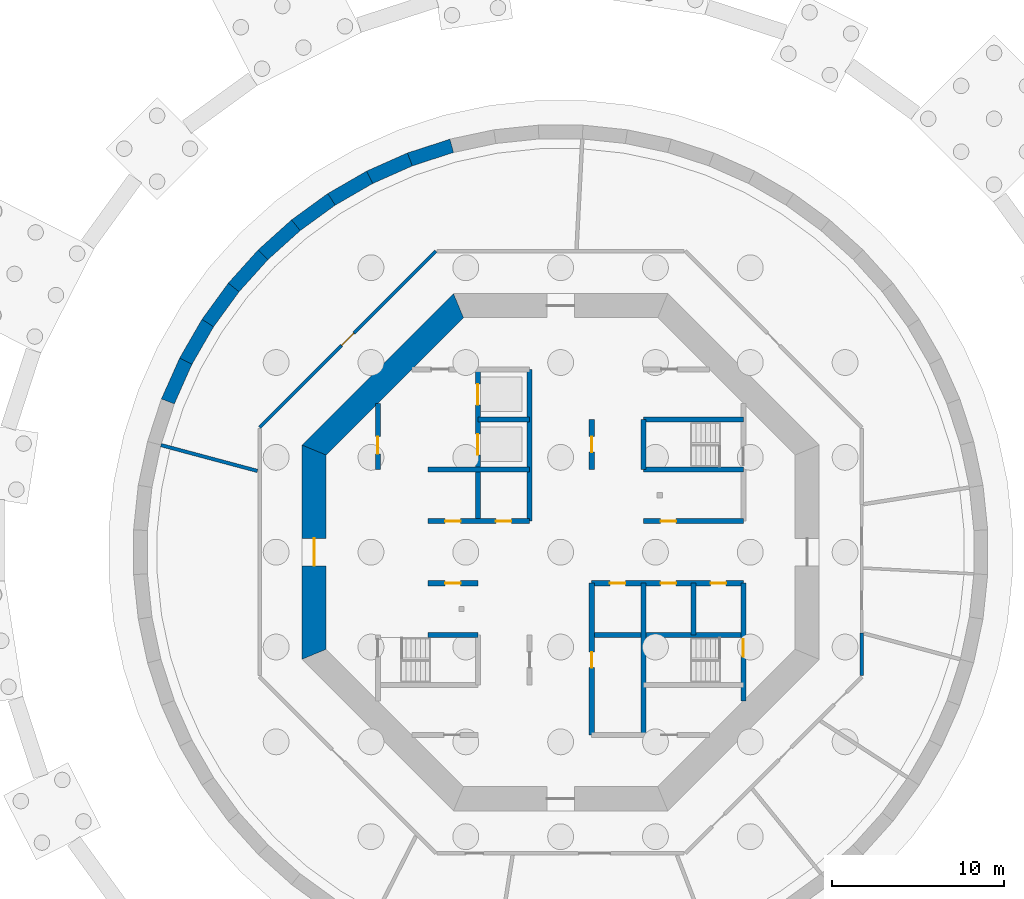
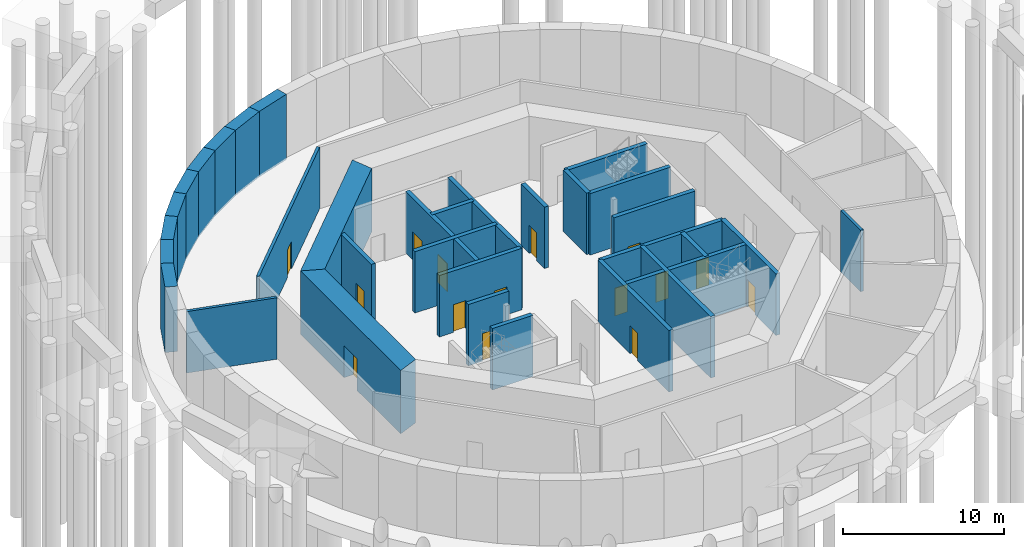
# One storey, part 4 of 8: 33 walls, 15 doors, 15 openings.
"""IFC4 building model written with IfcOpenShell, lengths in metres."""

from ifc_helpers import new_model, si_unit, direction, frame, frame_2d, origin, place, context, subcontext, project, spatial, polyline, rectangle, outline, extrude, material, layer, layer_set, type_object, element, fill, save


model = new_model("IFC4")

# Units and contexts
model_context = context("Model", 3, precision=1e-05, world=origin(), true_north=direction((0.0, 1.0)))
body_context = subcontext(model_context, "Body", "Model", "MODEL_VIEW")
ifc_project = project(units=[si_unit("LENGTHUNIT", "METRE"), si_unit("AREAUNIT", "SQUARE_METRE"), si_unit("VOLUMEUNIT", "CUBIC_METRE"), si_unit("PLANEANGLEUNIT", "RADIAN"), si_unit("MASSUNIT", "GRAM", prefix="KILO")], contexts=[model_context])

# Site, building, storey
site_placement = place(None, origin())
site = spatial("IfcSite", under=ifc_project, at=site_placement, CompositionType="ELEMENT")
building_placement = place(site_placement, origin())
building = spatial("IfcBuilding", under=site, at=building_placement, Name="Entoto Ring Tower", CompositionType="ELEMENT")
storey_placement = place(building_placement, frame((0.0, 0.0, -9.60009765625)))
storey = spatial("IfcBuildingStorey", under=building, at=storey_placement, Name="B2", CompositionType="ELEMENT", Elevation=-9.60009765625)

# Wall, opening, door
ifc_material_1 = material(Name="Concrete C40/50", Category="concrete")
ifc_layer_1 = layer(ifc_material_1, 0.300048828125)
ifc_layer_set_1 = layer_set([ifc_layer_1], Name="Concrete C40/50")
wall_type_1 = type_object("IfcWallType", Name="Core enclosure wall 300 mm reinforced concrete", PredefinedType="SOLIDWALL", material=ifc_layer_set_1)
wall_1_placement = place(storey_placement, frame((100.60009765625, 71.36669921875, 0.0), z_axis=(0.0, 0.0, 1.0), x_axis=(0.0, 1.0, 0.0)))
wall_1 = element("IfcWall", 1, at=wall_1_placement, inside=storey, type_object=wall_type_1, Name="wall-B2-001", PredefinedType="SOLIDWALL", context=body_context, shape_type="SweptSolid", body=[
    extrude(rectangle(XDim=6.833251953125, YDim=0.300048828125, at=frame_2d((3.41650390625, 0.0))), origin(), (0.0, 0.0, 1.0), 4.650146484375),
])
opening_1_placement = place(wall_1_placement, frame((2.583251953125, 0.0, 0.0)))
opening_1 = element("IfcOpeningElement", 2, at=opening_1_placement, cuts=wall_1, Name="Opening K-17", PredefinedType="OPENING", context=body_context, shape_type="SweptSolid", body=[
    extrude(rectangle(XDim=1.0, YDim=2.10009765625, at=frame_2d((0.5, 1.050048828125))), frame((0.0, 0.16015625, 0.0), z_axis=(0.0, -1.0, 0.0), x_axis=(1.0, 0.0, 0.0)), (0.0, 0.0, 1.0), 0.320068359375),
])
ifc_material_2 = material(Name="Steel door leaf, fire rated", Category="steel")
ifc_layer_2 = layer(ifc_material_2, 0.050048828125)
ifc_layer_set_2 = layer_set([ifc_layer_2], Name="Steel door leaf, fire rated")
door_type_1 = type_object("IfcDoorType", Name="Fire door FD60 1000 x 2100 single leaf", OperationType="NOTDEFINED", PredefinedType="DOOR", material=ifc_layer_set_2)
door_1_placement = place(opening_1_placement, origin())
door_1 = element("IfcDoor", 3, at=door_1_placement, inside=storey, type_object=door_type_1, Name="Door K-17", OperationType="SINGLE_SWING_RIGHT", OverallHeight=2.10009765625, OverallWidth=1.0, PredefinedType="DOOR", context=body_context, shape_type="SweptSolid", body=[
    extrude(rectangle(XDim=1.0, YDim=2.10009765625, at=frame_2d((0.5, 1.050048828125))), frame((0.0, 0.02490234375, 0.0), z_axis=(0.0, -1.0, 0.0), x_axis=(1.0, 0.0, 0.0)), (0.0, 0.0, 1.0), 0.050048828125),
])
fill(opening_1, door_1)

# Walls
wall_2_placement = place(storey_placement, frame((97.699951171875, 75.199951171875, 0.0), z_axis=(0.0, 0.0, 1.0), x_axis=(0.0, 1.0, 0.0)))
element("IfcWall", 4, at=wall_2_placement, inside=storey, type_object=wall_type_1, Name="wall-B2-003", PredefinedType="SOLIDWALL", context=body_context, shape_type="SweptSolid", body=[
    extrude(rectangle(XDim=3.0, YDim=0.300048828125, at=frame_2d((1.5, 0.0))), origin(), (0.0, 0.0, 1.0), 4.650146484375),
])
wall_3_placement = place(storey_placement, frame((94.800048828125, 69.39990234375, 0.0), z_axis=(0.0, 0.0, 1.0), x_axis=(0.0, 1.0, 0.0)))
element("IfcWall", 5, at=wall_3_placement, inside=storey, type_object=wall_type_1, Name="wall-B2-004", PredefinedType="SOLIDWALL", context=body_context, shape_type="SweptSolid", body=[
    extrude(rectangle(XDim=8.800048828125, YDim=0.300048828125, at=frame_2d((4.39990234375, 0.0))), origin(), (0.0, 0.0, 1.0), 4.650146484375),
])
wall_4_placement = place(storey_placement, frame((94.800048828125, 84.800048828125, 0.0), z_axis=(0.0, 0.0, 1.0), x_axis=(0.0, 1.0, 0.0)))
element("IfcWall", 6, at=wall_4_placement, inside=storey, type_object=wall_type_1, Name="wall-B2-005", PredefinedType="SOLIDWALL", context=body_context, shape_type="SweptSolid", body=[
    extrude(rectangle(XDim=2.89990234375, YDim=0.300048828125, at=frame_2d((1.449951171875, 0.0))), origin(), (0.0, 0.0, 1.0), 4.650146484375),
])

# Wall, opening, door
wall_5_placement = place(storey_placement, frame((91.800048828125, 69.39990234375, 0.0), z_axis=(0.0, 0.0, 1.0), x_axis=(0.0, 1.0, 0.0)))
wall_5 = element("IfcWall", 7, at=wall_5_placement, inside=storey, type_object=wall_type_1, Name="wall-B2-006", PredefinedType="SOLIDWALL", context=body_context, shape_type="SweptSolid", body=[
    extrude(rectangle(XDim=8.800048828125, YDim=0.300048828125, at=frame_2d((4.39990234375, 0.0))), origin(), (0.0, 0.0, 1.0), 4.650146484375),
])
opening_2_placement = place(wall_5_placement, frame((3.89990234375, 0.0, 0.0)))
opening_2 = element("IfcOpeningElement", 8, at=opening_2_placement, cuts=wall_5, Name="Opening K-06", PredefinedType="OPENING", context=body_context, shape_type="SweptSolid", body=[
    extrude(rectangle(XDim=0.89990234375, YDim=2.10009765625, at=frame_2d((0.449951171875, 1.050048828125))), frame((0.0, 0.16015625, 0.0), z_axis=(0.0, -1.0, 0.0), x_axis=(1.0, 0.0, 0.0)), (0.0, 0.0, 1.0), 0.320068359375),
])
ifc_material_3 = material(Name="Steel door leaf, fire rated", Category="steel")
ifc_layer_3 = layer(ifc_material_3, 0.050048828125)
ifc_layer_set_3 = layer_set([ifc_layer_3], Name="Steel door leaf, fire rated")
door_type_2 = type_object("IfcDoorType", Name="Core door 900 x 2100 single leaf", OperationType="NOTDEFINED", PredefinedType="DOOR", material=ifc_layer_set_3)
door_2_placement = place(opening_2_placement, frame((0.89990234375, 0.0, 0.0), z_axis=(0.0, 0.0, 1.0), x_axis=(-1.0, 0.0, 0.0)))
door_2 = element("IfcDoor", 9, at=door_2_placement, inside=storey, type_object=door_type_2, Name="Door K-06", OperationType="SINGLE_SWING_LEFT", OverallHeight=2.10009765625, OverallWidth=0.89990234375, PredefinedType="DOOR", context=body_context, shape_type="SweptSolid", body=[
    extrude(rectangle(XDim=0.89990234375, YDim=2.10009765625, at=frame_2d((0.449951171875, 1.050048828125))), frame((0.0, 0.02490234375, 0.0), z_axis=(0.0, -1.0, 0.0), x_axis=(1.0, 0.0, 0.0)), (0.0, 0.0, 1.0), 0.050048828125),
])
fill(opening_2, door_2)

wall_6_placement = place(storey_placement, frame((91.800048828125, 84.800048828125, 0.0), z_axis=(0.0, 0.0, 1.0), x_axis=(0.0, 1.0, 0.0)))
wall_6 = element("IfcWall", 10, at=wall_6_placement, inside=storey, type_object=wall_type_1, Name="wall-B2-007", PredefinedType="SOLIDWALL", context=body_context, shape_type="SweptSolid", body=[
    extrude(rectangle(XDim=2.89990234375, YDim=0.300048828125, at=frame_2d((1.449951171875, 0.0))), origin(), (0.0, 0.0, 1.0), 4.650146484375),
])
opening_3_placement = place(wall_6_placement, frame((1.0, 0.0, 0.0)))
opening_3 = element("IfcOpeningElement", 11, at=opening_3_placement, cuts=wall_6, Name="Opening K-05", PredefinedType="OPENING", context=body_context, shape_type="SweptSolid", body=[
    extrude(rectangle(XDim=0.89990234375, YDim=2.10009765625, at=frame_2d((0.449951171875, 1.050048828125))), frame((0.0, 0.16015625, 0.0), z_axis=(0.0, -1.0, 0.0), x_axis=(1.0, 0.0, 0.0)), (0.0, 0.0, 1.0), 0.320068359375),
])
door_3_placement = place(opening_3_placement, origin())
door_3 = element("IfcDoor", 12, at=door_3_placement, inside=storey, type_object=door_type_2, Name="Door K-05", OperationType="SINGLE_SWING_RIGHT", OverallHeight=2.10009765625, OverallWidth=0.89990234375, PredefinedType="DOOR", context=body_context, shape_type="SweptSolid", body=[
    extrude(rectangle(XDim=0.89990234375, YDim=2.10009765625, at=frame_2d((0.449951171875, 1.050048828125))), frame((0.0, 0.02490234375, 0.0), z_axis=(0.0, -1.0, 0.0), x_axis=(1.0, 0.0, 0.0)), (0.0, 0.0, 1.0), 0.050048828125),
])
fill(opening_3, door_3)

# Wall
wall_7_placement = place(storey_placement, frame((88.199951171875, 81.800048828125, 0.0), z_axis=(0.0, 0.0, 1.0), x_axis=(0.0, 1.0, 0.0)))
element("IfcWall", 13, at=wall_7_placement, inside=storey, type_object=wall_type_1, Name="wall-B2-009", PredefinedType="SOLIDWALL", context=body_context, shape_type="SweptSolid", body=[
    extrude(rectangle(XDim=8.800048828125, YDim=0.300048828125, at=frame_2d((4.39990234375, 0.0))), origin(), (0.0, 0.0, 1.0), 4.650146484375),
])

# Wall, openings, doors
wall_8_placement = place(storey_placement, frame((85.199951171875, 81.800048828125, 0.0), z_axis=(0.0, 0.0, 1.0), x_axis=(0.0, 1.0, 0.0)))
wall_8 = element("IfcWall", 14, at=wall_8_placement, inside=storey, type_object=wall_type_1, Name="wall-B2-011", PredefinedType="SOLIDWALL", context=body_context, shape_type="SweptSolid", body=[
    extrude(rectangle(XDim=8.800048828125, YDim=0.300048828125, at=frame_2d((4.39990234375, 0.0))), origin(), (0.0, 0.0, 1.0), 4.650146484375),
])
opening_4_placement = place(wall_8_placement, frame((3.85009765625, 0.0, 0.0)))
opening_4 = element("IfcOpeningElement", 15, at=opening_4_placement, cuts=wall_8, Name="Opening LD", PredefinedType="OPENING", context=body_context, shape_type="SweptSolid", body=[
    extrude(rectangle(XDim=1.199951171875, YDim=2.10009765625, at=frame_2d((0.60009765625, 1.050048828125))), frame((0.0, 0.16015625, 0.0), z_axis=(0.0, -1.0, 0.0), x_axis=(1.0, 0.0, 0.0)), (0.0, 0.0, 1.0), 0.320068359375),
])
opening_5_placement = place(wall_8_placement, frame((6.75, 0.0, 0.0)))
opening_5 = element("IfcOpeningElement", 16, at=opening_5_placement, cuts=wall_8, Name="Opening LD", PredefinedType="OPENING", context=body_context, shape_type="SweptSolid", body=[
    extrude(rectangle(XDim=1.199951171875, YDim=2.10009765625, at=frame_2d((0.60009765625, 1.050048828125))), frame((0.0, 0.16015625, 0.0), z_axis=(0.0, -1.0, 0.0), x_axis=(1.0, 0.0, 0.0)), (0.0, 0.0, 1.0), 0.320068359375),
])
ifc_material_4 = material(Name="Steel and glass door leaf", Category="steel")
ifc_layer_4 = layer(ifc_material_4, 0.050048828125)
ifc_layer_set_4 = layer_set([ifc_layer_4], Name="Steel and glass door leaf")
door_type_3 = type_object("IfcDoorType", Name="Landing door 1200 x 2100 sliding", OperationType="DOUBLE_DOOR_SLIDING", PredefinedType="DOOR", material=ifc_layer_set_4)
door_4_placement = place(opening_4_placement, origin())
door_4 = element("IfcDoor", 17, at=door_4_placement, inside=storey, type_object=door_type_3, Name="Landing door FF1", OperationType="SLIDING_TO_RIGHT", OverallHeight=2.10009765625, OverallWidth=1.199951171875, PredefinedType="DOOR", context=body_context, shape_type="SweptSolid", body=[
    extrude(rectangle(XDim=1.199951171875, YDim=2.10009765625, at=frame_2d((0.60009765625, 1.050048828125))), frame((0.0, 0.02490234375, 0.0), z_axis=(0.0, -1.0, 0.0), x_axis=(1.0, 0.0, 0.0)), (0.0, 0.0, 1.0), 0.050048828125),
])
fill(opening_4, door_4)
door_5_placement = place(opening_5_placement, origin())
door_5 = element("IfcDoor", 18, at=door_5_placement, inside=storey, type_object=door_type_3, Name="Landing door FF2", OperationType="SLIDING_TO_RIGHT", OverallHeight=2.10009765625, OverallWidth=1.199951171875, PredefinedType="DOOR", context=body_context, shape_type="SweptSolid", body=[
    extrude(rectangle(XDim=1.199951171875, YDim=2.10009765625, at=frame_2d((0.60009765625, 1.050048828125))), frame((0.0, 0.02490234375, 0.0), z_axis=(0.0, -1.0, 0.0), x_axis=(1.0, 0.0, 0.0)), (0.0, 0.0, 1.0), 0.050048828125),
])
fill(opening_5, door_5)

# Wall, opening, door
wall_9_placement = place(storey_placement, frame((79.39990234375, 84.800048828125, 0.0), z_axis=(0.0, 0.0, 1.0), x_axis=(0.0, 1.0, 0.0)))
wall_9 = element("IfcWall", 19, at=wall_9_placement, inside=storey, type_object=wall_type_1, Name="wall-B2-013", PredefinedType="SOLIDWALL", context=body_context, shape_type="SweptSolid", body=[
    extrude(rectangle(XDim=3.833251953125, YDim=0.300048828125, at=frame_2d((1.91650390625, 0.0))), origin(), (0.0, 0.0, 1.0), 4.650146484375),
])
opening_6_placement = place(wall_9_placement, frame((0.89990234375, 0.0, 0.0)))
opening_6 = element("IfcOpeningElement", 20, at=opening_6_placement, cuts=wall_9, Name="Opening K-67", PredefinedType="OPENING", context=body_context, shape_type="SweptSolid", body=[
    extrude(rectangle(XDim=1.0, YDim=2.10009765625, at=frame_2d((0.5, 1.050048828125))), frame((0.0, 0.16015625, 0.0), z_axis=(0.0, -1.0, 0.0), x_axis=(1.0, 0.0, 0.0)), (0.0, 0.0, 1.0), 0.320068359375),
])
door_6_placement = place(opening_6_placement, frame((1.0, 0.0, 0.0), z_axis=(0.0, 0.0, 1.0), x_axis=(-1.0, 0.0, 0.0)))
door_6 = element("IfcDoor", 21, at=door_6_placement, inside=storey, type_object=door_type_1, Name="Door K-67", OperationType="SINGLE_SWING_LEFT", OverallHeight=2.10009765625, OverallWidth=1.0, PredefinedType="DOOR", context=body_context, shape_type="SweptSolid", body=[
    extrude(rectangle(XDim=1.0, YDim=2.10009765625, at=frame_2d((0.5, 1.050048828125))), frame((0.0, 0.02490234375, 0.0), z_axis=(0.0, -1.0, 0.0), x_axis=(1.0, 0.0, 0.0)), (0.0, 0.0, 1.0), 0.050048828125),
])
fill(opening_6, door_6)

# Walls
wall_10_placement = place(storey_placement, frame((82.300048828125, 75.199951171875, 0.0), z_axis=(0.0, 0.0, 1.0), x_axis=(1.0, 0.0, 0.0)))
element("IfcWall", 22, at=wall_10_placement, inside=storey, type_object=wall_type_1, Name="wall-B2-018", PredefinedType="SOLIDWALL", context=body_context, shape_type="SweptSolid", body=[
    extrude(rectangle(XDim=2.89990234375, YDim=0.300048828125, at=frame_2d((1.449951171875, 0.0))), origin(), (0.0, 0.0, 1.0), 4.650146484375),
])
wall_11_placement = place(storey_placement, frame((91.800048828125, 75.199951171875, 0.0), z_axis=(0.0, 0.0, 1.0), x_axis=(1.0, 0.0, 0.0)))
element("IfcWall", 23, at=wall_11_placement, inside=storey, type_object=wall_type_1, Name="wall-B2-019", PredefinedType="SOLIDWALL", context=body_context, shape_type="SweptSolid", body=[
    extrude(rectangle(XDim=8.800048828125, YDim=0.300048828125, at=frame_2d((4.39990234375, 0.0))), origin(), (0.0, 0.0, 1.0), 4.650146484375),
])

# Wall, opening, door
wall_12_placement = place(storey_placement, frame((82.300048828125, 78.199951171875, 0.0), z_axis=(0.0, 0.0, 1.0), x_axis=(1.0, 0.0, 0.0)))
wall_12 = element("IfcWall", 24, at=wall_12_placement, inside=storey, type_object=wall_type_1, Name="wall-B2-020", PredefinedType="SOLIDWALL", context=body_context, shape_type="SweptSolid", body=[
    extrude(rectangle(XDim=2.89990234375, YDim=0.300048828125, at=frame_2d((1.449951171875, 0.0))), origin(), (0.0, 0.0, 1.0), 4.650146484375),
])
opening_7_placement = place(wall_12_placement, frame((1.0, 0.0, 0.0)))
opening_7 = element("IfcOpeningElement", 25, at=opening_7_placement, cuts=wall_12, Name="Opening K-12", PredefinedType="OPENING", context=body_context, shape_type="SweptSolid", body=[
    extrude(rectangle(XDim=0.89990234375, YDim=2.10009765625, at=frame_2d((0.449951171875, 1.050048828125))), frame((0.0, 0.16015625, 0.0), z_axis=(0.0, -1.0, 0.0), x_axis=(1.0, 0.0, 0.0)), (0.0, 0.0, 1.0), 0.320068359375),
])
door_7_placement = place(opening_7_placement, frame((0.89990234375, 0.0, 0.0), z_axis=(0.0, 0.0, 1.0), x_axis=(-1.0, 0.0, 0.0)))
door_7 = element("IfcDoor", 26, at=door_7_placement, inside=storey, type_object=door_type_2, Name="Door K-12", OperationType="SINGLE_SWING_RIGHT", OverallHeight=2.10009765625, OverallWidth=0.89990234375, PredefinedType="DOOR", context=body_context, shape_type="SweptSolid", body=[
    extrude(rectangle(XDim=0.89990234375, YDim=2.10009765625, at=frame_2d((0.449951171875, 1.050048828125))), frame((0.0, 0.02490234375, 0.0), z_axis=(0.0, -1.0, 0.0), x_axis=(1.0, 0.0, 0.0)), (0.0, 0.0, 1.0), 0.050048828125),
])
fill(opening_7, door_7)

# Wall, openings, doors
wall_13_placement = place(storey_placement, frame((91.800048828125, 78.199951171875, 0.0), z_axis=(0.0, 0.0, 1.0), x_axis=(1.0, 0.0, 0.0)))
wall_13 = element("IfcWall", 27, at=wall_13_placement, inside=storey, type_object=wall_type_1, Name="wall-B2-021", PredefinedType="SOLIDWALL", context=body_context, shape_type="SweptSolid", body=[
    extrude(rectangle(XDim=8.800048828125, YDim=0.300048828125, at=frame_2d((4.39990234375, 0.0))), origin(), (0.0, 0.0, 1.0), 4.650146484375),
])
opening_8_placement = place(wall_13_placement, frame((1.050048828125, 0.0, 0.0)))
opening_8 = element("IfcOpeningElement", 28, at=opening_8_placement, cuts=wall_13, Name="Opening K-09", PredefinedType="OPENING", context=body_context, shape_type="SweptSolid", body=[
    extrude(rectangle(XDim=0.89990234375, YDim=2.10009765625, at=frame_2d((0.449951171875, 1.050048828125))), frame((0.0, 0.16015625, 0.0), z_axis=(0.0, -1.0, 0.0), x_axis=(1.0, 0.0, 0.0)), (0.0, 0.0, 1.0), 0.320068359375),
])
opening_9_placement = place(wall_13_placement, frame((4.0, 0.0, 0.0)))
opening_9 = element("IfcOpeningElement", 29, at=opening_9_placement, cuts=wall_13, Name="Opening K-46", PredefinedType="OPENING", context=body_context, shape_type="SweptSolid", body=[
    extrude(rectangle(XDim=0.89990234375, YDim=2.10009765625, at=frame_2d((0.449951171875, 1.050048828125))), frame((0.0, 0.16015625, 0.0), z_axis=(0.0, -1.0, 0.0), x_axis=(1.0, 0.0, 0.0)), (0.0, 0.0, 1.0), 0.320068359375),
])
opening_10_placement = place(wall_13_placement, frame((6.89990234375, 0.0, 0.0)))
opening_10 = element("IfcOpeningElement", 30, at=opening_10_placement, cuts=wall_13, Name="Opening K-14", PredefinedType="OPENING", context=body_context, shape_type="SweptSolid", body=[
    extrude(rectangle(XDim=0.89990234375, YDim=2.10009765625, at=frame_2d((0.449951171875, 1.050048828125))), frame((0.0, 0.16015625, 0.0), z_axis=(0.0, -1.0, 0.0), x_axis=(1.0, 0.0, 0.0)), (0.0, 0.0, 1.0), 0.320068359375),
])
door_8_placement = place(opening_8_placement, frame((0.89990234375, 0.0, 0.0), z_axis=(0.0, 0.0, 1.0), x_axis=(-1.0, 0.0, 0.0)))
door_8 = element("IfcDoor", 31, at=door_8_placement, inside=storey, type_object=door_type_2, Name="Door K-09", OperationType="SINGLE_SWING_RIGHT", OverallHeight=2.10009765625, OverallWidth=0.89990234375, PredefinedType="DOOR", context=body_context, shape_type="SweptSolid", body=[
    extrude(rectangle(XDim=0.89990234375, YDim=2.10009765625, at=frame_2d((0.449951171875, 1.050048828125))), frame((0.0, 0.02490234375, 0.0), z_axis=(0.0, -1.0, 0.0), x_axis=(1.0, 0.0, 0.0)), (0.0, 0.0, 1.0), 0.050048828125),
])
fill(opening_8, door_8)
door_9_placement = place(opening_9_placement, frame((0.89990234375, 0.0, 0.0), z_axis=(0.0, 0.0, 1.0), x_axis=(-1.0, 0.0, 0.0)))
door_9 = element("IfcDoor", 32, at=door_9_placement, inside=storey, type_object=door_type_2, Name="Door K-46", OperationType="SINGLE_SWING_RIGHT", OverallHeight=2.10009765625, OverallWidth=0.89990234375, PredefinedType="DOOR", context=body_context, shape_type="SweptSolid", body=[
    extrude(rectangle(XDim=0.89990234375, YDim=2.10009765625, at=frame_2d((0.449951171875, 1.050048828125))), frame((0.0, 0.02490234375, 0.0), z_axis=(0.0, -1.0, 0.0), x_axis=(1.0, 0.0, 0.0)), (0.0, 0.0, 1.0), 0.050048828125),
])
fill(opening_9, door_9)
door_10_placement = place(opening_10_placement, frame((0.89990234375, 0.0, 0.0), z_axis=(0.0, 0.0, 1.0), x_axis=(-1.0, 0.0, 0.0)))
door_10 = element("IfcDoor", 33, at=door_10_placement, inside=storey, type_object=door_type_2, Name="Door K-14", OperationType="SINGLE_SWING_LEFT", OverallHeight=2.10009765625, OverallWidth=0.89990234375, PredefinedType="DOOR", context=body_context, shape_type="SweptSolid", body=[
    extrude(rectangle(XDim=0.89990234375, YDim=2.10009765625, at=frame_2d((0.449951171875, 1.050048828125))), frame((0.0, 0.02490234375, 0.0), z_axis=(0.0, -1.0, 0.0), x_axis=(1.0, 0.0, 0.0)), (0.0, 0.0, 1.0), 0.050048828125),
])
fill(opening_10, door_10)

wall_14_placement = place(storey_placement, frame((82.300048828125, 81.800048828125, 0.0), z_axis=(0.0, 0.0, 1.0), x_axis=(1.0, 0.0, 0.0)))
wall_14 = element("IfcWall", 34, at=wall_14_placement, inside=storey, type_object=wall_type_1, Name="wall-B2-022", PredefinedType="SOLIDWALL", context=body_context, shape_type="SweptSolid", body=[
    extrude(rectangle(XDim=5.89990234375, YDim=0.300048828125, at=frame_2d((2.949951171875, 0.0))), origin(), (0.0, 0.0, 1.0), 4.650146484375),
])
opening_11_placement = place(wall_14_placement, frame((3.949951171875, 0.0, 0.0)))
opening_11 = element("IfcOpeningElement", 35, at=opening_11_placement, cuts=wall_14, Name="Opening K-08", PredefinedType="OPENING", context=body_context, shape_type="SweptSolid", body=[
    extrude(rectangle(XDim=0.89990234375, YDim=2.10009765625, at=frame_2d((0.449951171875, 1.050048828125))), frame((0.0, 0.16015625, 0.0), z_axis=(0.0, -1.0, 0.0), x_axis=(1.0, 0.0, 0.0)), (0.0, 0.0, 1.0), 0.320068359375),
])
opening_12_placement = place(wall_14_placement, frame((1.0, 0.0, 0.0)))
opening_12 = element("IfcOpeningElement", 36, at=opening_12_placement, cuts=wall_14, Name="Opening K-11", PredefinedType="OPENING", context=body_context, shape_type="SweptSolid", body=[
    extrude(rectangle(XDim=0.89990234375, YDim=2.10009765625, at=frame_2d((0.449951171875, 1.050048828125))), frame((0.0, 0.16015625, 0.0), z_axis=(0.0, -1.0, 0.0), x_axis=(1.0, 0.0, 0.0)), (0.0, 0.0, 1.0), 0.320068359375),
])
door_11_placement = place(opening_11_placement, frame((0.89990234375, 0.0, 0.0), z_axis=(0.0, 0.0, 1.0), x_axis=(-1.0, 0.0, 0.0)))
door_11 = element("IfcDoor", 37, at=door_11_placement, inside=storey, type_object=door_type_2, Name="Door K-08", OperationType="SINGLE_SWING_RIGHT", OverallHeight=2.10009765625, OverallWidth=0.89990234375, PredefinedType="DOOR", context=body_context, shape_type="SweptSolid", body=[
    extrude(rectangle(XDim=0.89990234375, YDim=2.10009765625, at=frame_2d((0.449951171875, 1.050048828125))), frame((0.0, 0.02490234375, 0.0), z_axis=(0.0, -1.0, 0.0), x_axis=(1.0, 0.0, 0.0)), (0.0, 0.0, 1.0), 0.050048828125),
])
fill(opening_11, door_11)
door_12_placement = place(opening_12_placement, frame((0.89990234375, 0.0, 0.0), z_axis=(0.0, 0.0, 1.0), x_axis=(-1.0, 0.0, 0.0)))
door_12 = element("IfcDoor", 38, at=door_12_placement, inside=storey, type_object=door_type_2, Name="Door K-11", OperationType="SINGLE_SWING_RIGHT", OverallHeight=2.10009765625, OverallWidth=0.89990234375, PredefinedType="DOOR", context=body_context, shape_type="SweptSolid", body=[
    extrude(rectangle(XDim=0.89990234375, YDim=2.10009765625, at=frame_2d((0.449951171875, 1.050048828125))), frame((0.0, 0.02490234375, 0.0), z_axis=(0.0, -1.0, 0.0), x_axis=(1.0, 0.0, 0.0)), (0.0, 0.0, 1.0), 0.050048828125),
])
fill(opening_12, door_12)

# Wall, opening, door
wall_15_placement = place(storey_placement, frame((94.800048828125, 81.800048828125, 0.0), z_axis=(0.0, 0.0, 1.0), x_axis=(1.0, 0.0, 0.0)))
wall_15 = element("IfcWall", 39, at=wall_15_placement, inside=storey, type_object=wall_type_1, Name="wall-B2-023", PredefinedType="SOLIDWALL", context=body_context, shape_type="SweptSolid", body=[
    extrude(rectangle(XDim=5.800048828125, YDim=0.300048828125, at=frame_2d((2.89990234375, 0.0))), origin(), (0.0, 0.0, 1.0), 4.650146484375),
])
opening_13_placement = place(wall_15_placement, frame((1.0, 0.0, 0.0)))
opening_13 = element("IfcOpeningElement", 40, at=opening_13_placement, cuts=wall_15, Name="Opening K-10", PredefinedType="OPENING", context=body_context, shape_type="SweptSolid", body=[
    extrude(rectangle(XDim=0.89990234375, YDim=2.10009765625, at=frame_2d((0.449951171875, 1.050048828125))), frame((0.0, 0.16015625, 0.0), z_axis=(0.0, -1.0, 0.0), x_axis=(1.0, 0.0, 0.0)), (0.0, 0.0, 1.0), 0.320068359375),
])
door_13_placement = place(opening_13_placement, frame((0.89990234375, 0.0, 0.0), z_axis=(0.0, 0.0, 1.0), x_axis=(-1.0, 0.0, 0.0)))
door_13 = element("IfcDoor", 41, at=door_13_placement, inside=storey, type_object=door_type_2, Name="Door K-10", OperationType="SINGLE_SWING_LEFT", OverallHeight=2.10009765625, OverallWidth=0.89990234375, PredefinedType="DOOR", context=body_context, shape_type="SweptSolid", body=[
    extrude(rectangle(XDim=0.89990234375, YDim=2.10009765625, at=frame_2d((0.449951171875, 1.050048828125))), frame((0.0, 0.02490234375, 0.0), z_axis=(0.0, -1.0, 0.0), x_axis=(1.0, 0.0, 0.0)), (0.0, 0.0, 1.0), 0.050048828125),
])
fill(opening_13, door_13)

# Walls
wall_16_placement = place(storey_placement, frame((82.300048828125, 84.800048828125, 0.0), z_axis=(0.0, 0.0, 1.0), x_axis=(1.0, 0.0, 0.0)))
element("IfcWall", 42, at=wall_16_placement, inside=storey, type_object=wall_type_1, Name="wall-B2-024", PredefinedType="SOLIDWALL", context=body_context, shape_type="SweptSolid", body=[
    extrude(rectangle(XDim=5.89990234375, YDim=0.300048828125, at=frame_2d((2.949951171875, 0.0))), origin(), (0.0, 0.0, 1.0), 4.650146484375),
])
wall_17_placement = place(storey_placement, frame((94.800048828125, 84.800048828125, 0.0), z_axis=(0.0, 0.0, 1.0), x_axis=(1.0, 0.0, 0.0)))
element("IfcWall", 43, at=wall_17_placement, inside=storey, type_object=wall_type_1, Name="wall-B2-025", PredefinedType="SOLIDWALL", context=body_context, shape_type="SweptSolid", body=[
    extrude(rectangle(XDim=5.800048828125, YDim=0.300048828125, at=frame_2d((2.89990234375, 0.0))), origin(), (0.0, 0.0, 1.0), 4.650146484375),
])
wall_18_placement = place(storey_placement, frame((85.199951171875, 87.699951171875, 0.0), z_axis=(0.0, 0.0, 1.0), x_axis=(1.0, 0.0, 0.0)))
element("IfcWall", 44, at=wall_18_placement, inside=storey, type_object=wall_type_1, Name="wall-B2-026", PredefinedType="SOLIDWALL", context=body_context, shape_type="SweptSolid", body=[
    extrude(rectangle(XDim=3.0, YDim=0.300048828125, at=frame_2d((1.5, 0.0))), origin(), (0.0, 0.0, 1.0), 4.650146484375),
])
wall_19_placement = place(storey_placement, frame((94.800048828125, 87.699951171875, 0.0), z_axis=(0.0, 0.0, 1.0), x_axis=(1.0, 0.0, 0.0)))
element("IfcWall", 45, at=wall_19_placement, inside=storey, type_object=wall_type_1, Name="wall-B2-027", PredefinedType="SOLIDWALL", context=body_context, shape_type="SweptSolid", body=[
    extrude(rectangle(XDim=5.800048828125, YDim=0.300048828125, at=frame_2d((2.89990234375, 0.0))), origin(), (0.0, 0.0, 1.0), 4.650146484375),
])
ifc_material_5 = material(Name="Concrete C60/75", Category="concrete")
ifc_layer_5 = layer(ifc_material_5, 1.39990234375)
ifc_layer_set_5 = layer_set([ifc_layer_5], Name="Concrete C60/75")
wall_type_2 = type_object("IfcWallType", Name="Core shear wall 1400 mm reinforced concrete C60/75", PredefinedType="SHEAR", material=ifc_layer_set_5)
wall_20_placement = place(storey_placement, frame((84.07666015625, 94.300048828125, 0.0), z_axis=(0.0, 0.0, 1.0), x_axis=(-0.707106781187, -0.707106781187, 0.0)))
element("IfcWall", 46, at=wall_20_placement, inside=storey, type_object=wall_type_2, Name="wall-B2-core-3", PredefinedType="SHEAR", context=body_context, shape_type="SweptSolid", body=[
    extrude(outline(polyline([(-0.2900390625, -0.699951171875), (12.136474609375, -0.699951171875), (11.556396484375, 0.699951171875), (0.2900390625, 0.699951171875), (-0.2900390625, -0.699951171875)])), origin(), (0.0, 0.0, 1.0), 4.800048828125),
])

# Wall, opening, door
wall_21_placement = place(storey_placement, frame((75.699951171875, 85.92333984375, 0.0), z_axis=(0.0, 0.0, 1.0), x_axis=(0.0, -1.0, 0.0)))
wall_21 = element("IfcWall", 47, at=wall_21_placement, inside=storey, type_object=wall_type_2, Name="wall-B2-core-4", PredefinedType="SHEAR", context=body_context, shape_type="SweptSolid", body=[
    extrude(outline(polyline([(-0.2900390625, -0.699951171875), (12.13671875, -0.699951171875), (11.556640625, 0.699951171875), (0.2900390625, 0.699951171875), (-0.2900390625, -0.699951171875)])), origin(), (0.0, 0.0, 1.0), 4.800048828125),
])
opening_14_placement = place(wall_21_placement, frame((5.123291015625, 0.0, 0.0)))
opening_14 = element("IfcOpeningElement", 48, at=opening_14_placement, cuts=wall_21, Name="Opening K-03", PredefinedType="OPENING", context=body_context, shape_type="SweptSolid", body=[
    extrude(rectangle(XDim=1.60009765625, YDim=2.39990234375, at=frame_2d((0.800048828125, 1.199951171875))), frame((0.0, 0.7099609375, 0.0), z_axis=(0.0, -1.0, 0.0), x_axis=(1.0, 0.0, 0.0)), (0.0, 0.0, 1.0), 1.419921875),
])
ifc_material_6 = material(Name="Steel door leaf, fire rated", Category="steel")
ifc_layer_6 = layer(ifc_material_6, 0.050048828125)
ifc_layer_set_6 = layer_set([ifc_layer_6], Name="Steel door leaf, fire rated")
door_type_4 = type_object("IfcDoorType", Name="Entrance door FD60 1600 x 2400 double leaf", OperationType="DOUBLE_DOOR_SINGLE_SWING", PredefinedType="DOOR", material=ifc_layer_set_6)
door_14_placement = place(opening_14_placement, origin())
door_14 = element("IfcDoor", 49, at=door_14_placement, inside=storey, type_object=door_type_4, Name="Entrance door K-03", OperationType="DOUBLE_DOOR_SINGLE_SWING", OverallHeight=2.39990234375, OverallWidth=1.60009765625, PredefinedType="DOOR", context=body_context, shape_type="SweptSolid", body=[
    extrude(rectangle(XDim=1.60009765625, YDim=2.39990234375, at=frame_2d((0.800048828125, 1.199951171875))), frame((0.0, 0.02490234375, 0.0), z_axis=(0.0, -1.0, 0.0), x_axis=(1.0, 0.0, 0.0)), (0.0, 0.0, 1.0), 0.050048828125),
])
fill(opening_14, door_14)

ifc_material_7 = material(Name="Concrete C20/25", Category="concrete")
ifc_layer_7 = layer(ifc_material_7, 0.199951171875)
ifc_layer_set_7 = layer_set([ifc_layer_7], Name="Concrete C20/25")
wall_type_3 = type_object("IfcWallType", Name="Plant room wall 200 mm two-hour concrete", PredefinedType="PARTITIONING", material=ifc_layer_set_7)
wall_22_placement = place(storey_placement, frame((72.53759765625, 87.233154296875, 0.0), z_axis=(0.0, 0.0, 1.0), x_axis=(0.707106781187, 0.707106781187, 0.0)))
wall_22 = element("IfcWall", 50, at=wall_22_placement, inside=storey, type_object=wall_type_3, Name="partition-B2-003", PredefinedType="PARTITIONING", context=body_context, shape_type="SweptSolid", body=[
    extrude(rectangle(XDim=14.46630859375, YDim=0.199951171875, at=frame_2d((7.233154296875, 0.0))), origin(), (0.0, 0.0, 1.0), 4.650146484375),
])
opening_15_placement = place(wall_22_placement, frame((6.733154296875, 0.0, 0.0)))
opening_15 = element("IfcOpeningElement", 51, at=opening_15_placement, cuts=wall_22, Name="Opening B02-D02", PredefinedType="OPENING", context=body_context, shape_type="SweptSolid", body=[
    extrude(rectangle(XDim=1.0, YDim=2.10009765625, at=frame_2d((0.5, 1.050048828125))), frame((0.0, 0.10986328125, 0.0), z_axis=(0.0, -1.0, 0.0), x_axis=(1.0, 0.0, 0.0)), (0.0, 0.0, 1.0), 0.219970703125),
])
ifc_material_8 = material(Name="Fire-resisting steel door set", Category="steel")
door_type_5 = type_object("IfcDoorType", Name="Door 1000 x 2100 single leaf FD60 steel door", OperationType="NOTDEFINED", PredefinedType="DOOR", material=ifc_material_8)
door_15_placement = place(opening_15_placement, origin())
door_15 = element("IfcDoor", 52, at=door_15_placement, inside=storey, type_object=door_type_5, Name="Door B02-D02", OperationType="SINGLE_SWING_LEFT", OverallHeight=2.10009765625, OverallWidth=1.0, PredefinedType="DOOR", context=body_context, shape_type="SweptSolid", body=[
    extrude(rectangle(XDim=1.0, YDim=2.10009765625, at=frame_2d((0.5, 1.050048828125))), frame((0.0, 0.02490234375, 0.0), z_axis=(0.0, -1.0, 0.0), x_axis=(1.0, 0.0, 0.0)), (0.0, 0.0, 1.0), 0.050048828125),
])
fill(opening_15, door_15)

# Walls
wall_23_placement = place(storey_placement, frame((72.41162109375, 84.712890625, 0.0), z_axis=(0.0, 0.0, 1.0), x_axis=(-0.96592752309, 0.258812712473, 0.0)))
element("IfcWall", 53, at=wall_23_placement, inside=storey, type_object=wall_type_3, Name="partition-B2-015", PredefinedType="PARTITIONING", context=body_context, shape_type="SweptSolid", body=[
    extrude(rectangle(XDim=5.786376953125, YDim=0.199951171875, at=frame_2d((2.89306640625, 0.0))), origin(), (0.0, 0.0, 1.0), 4.650146484375),
])
wall_24_placement = place(storey_placement, frame((107.46240234375, 72.83740234375, 0.0), z_axis=(0.0, 0.0, 1.0), x_axis=(0.0, 1.0, 0.0)))
element("IfcWall", 54, at=wall_24_placement, inside=storey, type_object=wall_type_3, Name="partition-B2-020", PredefinedType="PARTITIONING", context=body_context, shape_type="SweptSolid", body=[
    extrude(rectangle(XDim=2.4833984375, YDim=0.199951171875, at=frame_2d((1.24169921875, 0.0))), origin(), (0.0, 0.0, 1.0), 4.650146484375),
])
ifc_material_9 = material(Name="Concrete C40/50", Category="concrete")
ifc_layer_8 = layer(ifc_material_9, 0.800048828125)
ifc_layer_set_8 = layer_set([ifc_layer_8], Name="Concrete C40/50")
wall_type_4 = type_object("IfcWallType", Name="Retaining wall 800 mm lower basement", PredefinedType="SOLIDWALL", material=ifc_layer_set_8)
for number, where, z_axis, x_axis, name in (
    (55, (83.6845703125, 103.569091796875, -0.14990234375), (0.0, 0.0, 1.0), (-0.951046010282, -0.30904932669, 0.0), "Retaining wall B2 17"),
    (56, (81.255615234375, 102.77978515625, -0.14990234375), (0.0, 0.0, 1.0), (-0.913547252927, -0.406732610778, 0.0), "Retaining wall B2 18"),
    (57, (78.92236328125, 101.740966796875, -0.14990234375), (0.0, 0.0, 1.0), (-0.866058244174, -0.499943114462, 0.0), "Retaining wall B2 19"),
    (58, (76.71044921875, 100.464111328125, -0.14990234375), (0.0, 0.0, 1.0), (-0.809004694129, -0.587802181756, 0.0), "Retaining wall B2 20"),
):
    element("IfcWall", number, at=place(storey_placement, frame(where, z_axis=z_axis, x_axis=x_axis)), inside=storey, type_object=wall_type_4, Name=name, PredefinedType="SOLIDWALL", context=body_context, shape_type="SweptSolid", body=[
        extrude(outline(polyline([(-0.02099609375, -0.39990234375), (2.574951171875, -0.39990234375), (2.532958984375, 0.39990234375), (0.02099609375, 0.39990234375), (-0.02099609375, -0.39990234375)])), origin(), (0.0, 0.0, 1.0), 4.949951171875),
    ])
for number, where, z_axis, x_axis, name in (
    (59, (74.644287109375, 98.962890625, -0.14990234375), (0.0, 0.0, 1.0), (-0.74317531308, -0.669096744895, 0.0), "Retaining wall B2 21"),
    (60, (72.74609375, 97.25390625, -0.14990234375), (0.0, 0.0, 1.0), (-0.669096744895, -0.74317531308, 0.0), "Retaining wall B2 22"),
):
    element("IfcWall", number, at=place(storey_placement, frame(where, z_axis=z_axis, x_axis=x_axis)), inside=storey, type_object=wall_type_4, Name=name, PredefinedType="SOLIDWALL", context=body_context, shape_type="SweptSolid", body=[
        extrude(outline(polyline([(-0.02099609375, -0.39990234375), (2.5751953125, -0.39990234375), (2.533203125, 0.39990234375), (0.02099609375, 0.39990234375), (-0.02099609375, -0.39990234375)])), origin(), (0.0, 0.0, 1.0), 4.949951171875),
    ])
for number, where, z_axis, x_axis, name in (
    (61, (71.037109375, 95.355712890625, -0.14990234375), (0.0, 0.0, 1.0), (-0.587802181756, -0.809004694129, 0.0), "Retaining wall B2 23"),
    (62, (69.535888671875, 93.28955078125, -0.14990234375), (0.0, 0.0, 1.0), (-0.499943114462, -0.866058244174, 0.0), "Retaining wall B2 24"),
    (63, (68.259033203125, 91.07763671875, -0.14990234375), (0.0, 0.0, 1.0), (-0.406732610778, -0.913547252927, 0.0), "Retaining wall B2 25"),
):
    element("IfcWall", number, at=place(storey_placement, frame(where, z_axis=z_axis, x_axis=x_axis)), inside=storey, type_object=wall_type_4, Name=name, PredefinedType="SOLIDWALL", context=body_context, shape_type="SweptSolid", body=[
        extrude(outline(polyline([(-0.02099609375, -0.39990234375), (2.574951171875, -0.39990234375), (2.532958984375, 0.39990234375), (0.02099609375, 0.39990234375), (-0.02099609375, -0.39990234375)])), origin(), (0.0, 0.0, 1.0), 4.949951171875),
    ])

save(model, "model.ifc")
